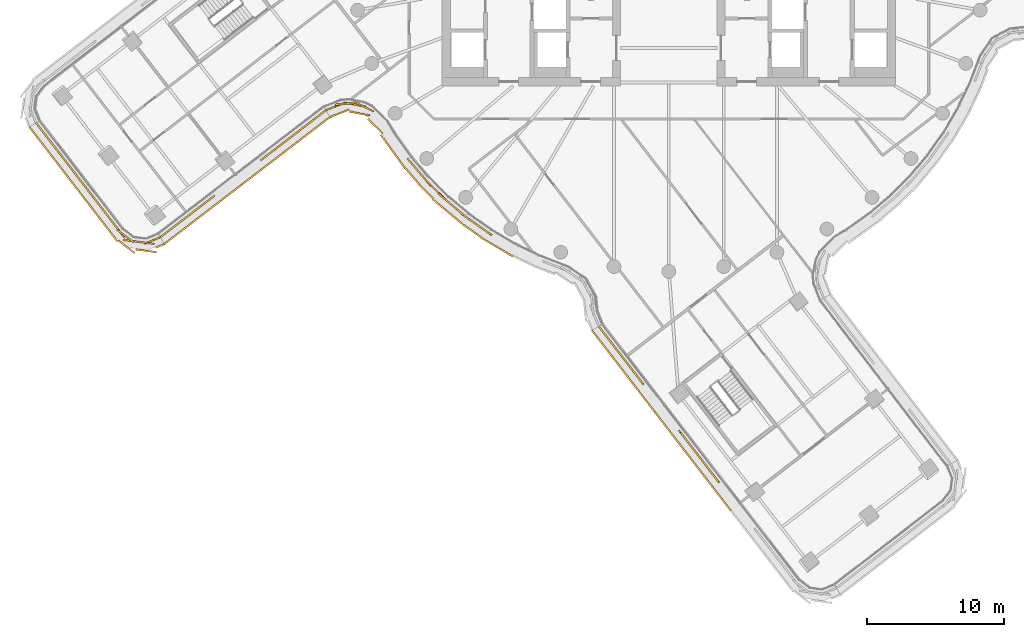
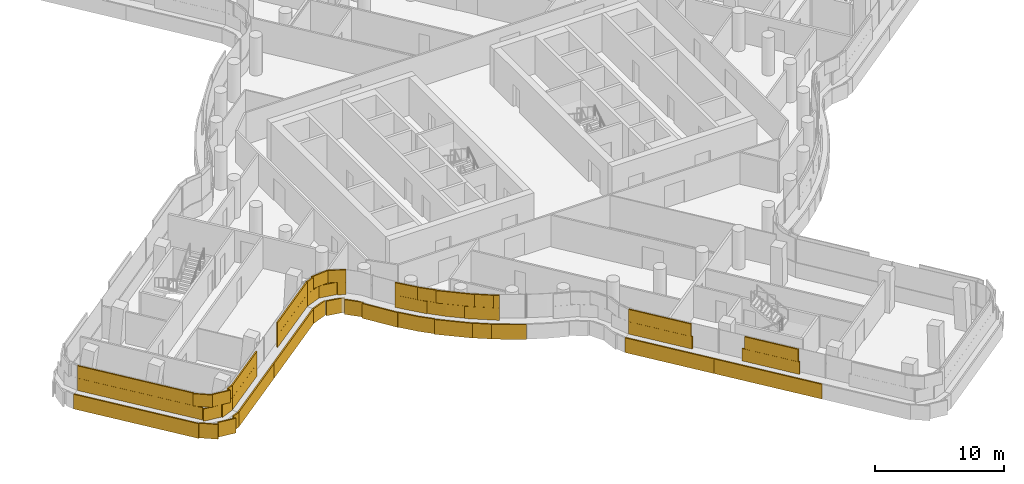
# One storey, part 26 of 33: 6 coverings.
"""IFC4 building model written with IfcOpenShell, lengths in metres."""

from ifc_helpers import new_model, si_unit, direction, frame, origin, origin_2d, place, context, subcontext, project, spatial, rectangle, extrude, material, layer, layer_set, type_object, element, save


model = new_model("IFC4")

# Units and contexts
model_context = context("Model", 3, precision=1e-05, world=origin(), true_north=direction((0.0, 1.0)))
body_context = subcontext(model_context, "Body", "Model", "MODEL_VIEW")
ifc_project = project(units=[si_unit("LENGTHUNIT", "METRE"), si_unit("AREAUNIT", "SQUARE_METRE"), si_unit("VOLUMEUNIT", "CUBIC_METRE"), si_unit("PLANEANGLEUNIT", "RADIAN"), si_unit("MASSUNIT", "GRAM", prefix="KILO")], contexts=[model_context])

# Site, building, storey
site_placement = place(None, origin())
site = spatial("IfcSite", under=ifc_project, at=site_placement, CompositionType="ELEMENT")
building_placement = place(site_placement, origin())
building = spatial("IfcBuilding", under=site, at=building_placement, Name="Tamarind Cross Interchange Tower", CompositionType="ELEMENT")
storey_placement = place(building_placement, frame((0.0, 0.0, 170.5)))
storey = spatial("IfcBuildingStorey", under=building, at=storey_placement, Name="L42", CompositionType="ELEMENT", Elevation=170.5)

# Coverings
ifc_material = material(Name="Terracotta", Category="masonry")
ifc_layer = layer(ifc_material, 0.1201171875)
ifc_layer_set = layer_set([ifc_layer], Name="Terracotta")
covering_type = type_object("IfcCoveringType", Name="Terracotta baguette screen unit", PredefinedType="MOLDING", material=ifc_layer_set)
covering_1_placement = place(storey_placement, origin())
element("IfcCovering", 1, at=covering_1_placement, inside=storey, type_object=covering_type, Name="SCR-L42-08-00", PredefinedType="MOLDING", context=body_context, shape_type="SweptSolid", body=[
    extrude(rectangle(XDim=1.510009765625, YDim=0.1201171875, at=origin_2d()), frame((-45.58251953125, -12.789306640625, 1.404052734375), z_axis=(0.0, 0.0, 1.0), x_axis=(0.610322147879, -0.792153315847, 0.0)), (0.0, 0.0, 1.0), 1.1669921875),
    extrude(rectangle(XDim=1.52001953125, YDim=0.1201171875, at=origin_2d()), frame((-44.6669921875, -13.9775390625, 1.404052734375), z_axis=(0.0, 0.0, 1.0), x_axis=(0.610322147879, -0.792153315847, 0.0)), (0.0, 0.0, 1.0), 1.1669921875),
    extrude(rectangle(XDim=1.52001953125, YDim=0.1201171875, at=origin_2d()), frame((-43.751708984375, -15.165771484375, 1.404052734375), z_axis=(0.0, 0.0, 1.0), x_axis=(0.610322147879, -0.792153315847, 0.0)), (0.0, 0.0, 1.0), 1.1669921875),
    extrude(rectangle(XDim=1.52001953125, YDim=0.1201171875, at=origin_2d()), frame((-42.836181640625, -16.35400390625, 1.404052734375), z_axis=(0.0, 0.0, 1.0), x_axis=(0.610322147879, -0.792153315847, 0.0)), (0.0, 0.0, 1.0), 1.1669921875),
    extrude(rectangle(XDim=1.52001953125, YDim=0.1201171875, at=origin_2d()), frame((-41.920654296875, -17.542236328125, 1.404052734375), z_axis=(0.0, 0.0, 1.0), x_axis=(0.610322147879, -0.792153315847, 0.0)), (0.0, 0.0, 1.0), 1.1669921875),
    extrude(rectangle(XDim=1.52001953125, YDim=0.1201171875, at=origin_2d()), frame((-41.005126953125, -18.73046875, 1.404052734375), z_axis=(0.0, 0.0, 1.0), x_axis=(0.610322147879, -0.792153315847, 0.0)), (0.0, 0.0, 1.0), 1.1669921875),
    extrude(rectangle(XDim=1.52001953125, YDim=0.1201171875, at=origin_2d()), frame((-40.089599609375, -19.918701171875, 1.404052734375), z_axis=(0.0, 0.0, 1.0), x_axis=(0.610322147879, -0.792153315847, 0.0)), (0.0, 0.0, 1.0), 1.1669921875),
    extrude(rectangle(XDim=1.52001953125, YDim=0.1201171875, at=origin_2d()), frame((-38.917724609375, -20.805908203125, 1.404052734375), z_axis=(0.0, 0.0, 1.0), x_axis=(0.991699910849, -0.128574051901, 0.0)), (0.0, 0.0, 1.0), 1.1669921875),
    extrude(rectangle(XDim=1.259521484375, YDim=0.1201171875, at=origin_2d()), frame((-37.5849609375, -20.753662109375, 1.404052734375), z_axis=(0.0, 0.0, 1.0), x_axis=(0.923124341677, 0.38450156021, 0.0)), (0.0, 0.0, 1.0), 1.1669921875),
    extrude(rectangle(XDim=0.760009765625, YDim=0.1201171875, at=origin_2d()), frame((-45.8115234375, -12.4921875, 2.5791015625), z_axis=(0.0, 0.0, 1.0), x_axis=(0.610322147879, -0.792153315847, 0.0)), (0.0, 0.0, 1.0), 1.1669921875),
    extrude(rectangle(XDim=1.52001953125, YDim=0.1201171875, at=origin_2d()), frame((-45.124755859375, -13.383544921875, 2.5791015625), z_axis=(0.0, 0.0, 1.0), x_axis=(0.610322147879, -0.792153315847, 0.0)), (0.0, 0.0, 1.0), 1.1669921875),
    extrude(rectangle(XDim=1.52001953125, YDim=0.1201171875, at=origin_2d()), frame((-44.20947265625, -14.57177734375, 2.5791015625), z_axis=(0.0, 0.0, 1.0), x_axis=(0.610322147879, -0.792153315847, 0.0)), (0.0, 0.0, 1.0), 1.1669921875),
    extrude(rectangle(XDim=1.52001953125, YDim=0.1201171875, at=origin_2d()), frame((-43.2939453125, -15.760009765625, 2.5791015625), z_axis=(0.0, 0.0, 1.0), x_axis=(0.610322147879, -0.792153315847, 0.0)), (0.0, 0.0, 1.0), 1.1669921875),
    extrude(rectangle(XDim=1.52001953125, YDim=0.1201171875, at=origin_2d()), frame((-42.37841796875, -16.9482421875, 2.5791015625), z_axis=(0.0, 0.0, 1.0), x_axis=(0.610322147879, -0.792153315847, 0.0)), (0.0, 0.0, 1.0), 1.1669921875),
    extrude(rectangle(XDim=1.52001953125, YDim=0.1201171875, at=origin_2d()), frame((-41.462890625, -18.136474609375, 2.5791015625), z_axis=(0.0, 0.0, 1.0), x_axis=(0.610322147879, -0.792153315847, 0.0)), (0.0, 0.0, 1.0), 1.1669921875),
    extrude(rectangle(XDim=1.52001953125, YDim=0.1201171875, at=origin_2d()), frame((-40.54736328125, -19.32470703125, 2.5791015625), z_axis=(0.0, 0.0, 1.0), x_axis=(0.610322147879, -0.792153315847, 0.0)), (0.0, 0.0, 1.0), 1.1669921875),
    extrude(rectangle(XDim=1.52001953125, YDim=0.1201171875, at=origin_2d()), frame((-39.544189453125, -20.4248046875, 2.5791015625), z_axis=(0.0, 0.0, 1.0), x_axis=(0.794550289775, -0.607198350638, 0.0)), (0.0, 0.0, 1.0), 1.1669921875),
    extrude(rectangle(XDim=1.52001953125, YDim=0.1201171875, at=origin_2d()), frame((-38.173828125, -20.90234375, 2.5791015625), z_axis=(0.0, 0.0, 1.0), x_axis=(0.991699910849, -0.128574051901, 0.0)), (0.0, 0.0, 1.0), 1.1669921875),
    extrude(rectangle(XDim=0.509521484375, YDim=0.1201171875, at=origin_2d()), frame((-37.23876953125, -20.609619140625, 2.5791015625), z_axis=(0.0, 0.0, 1.0), x_axis=(0.923124341677, 0.38450156021, 0.0)), (0.0, 0.0, 1.0), 1.1669921875),
    extrude(rectangle(XDim=1.510009765625, YDim=0.1201171875, at=origin_2d()), frame((-46.080322265625, -13.083740234375, 0.00390625), z_axis=(0.0, 0.0, 1.0), x_axis=(0.610322147879, -0.792153315847, 0.0)), (0.0, 0.0, 1.0), 1.39208984375),
    extrude(rectangle(XDim=1.52001953125, YDim=0.1201171875, at=origin_2d()), frame((-45.16796875, -14.26806640625, 0.00390625), z_axis=(0.0, 0.0, 1.0), x_axis=(0.610322147879, -0.792153315847, 0.0)), (0.0, 0.0, 1.0), 1.39208984375),
    extrude(rectangle(XDim=1.52001953125, YDim=0.1201171875, at=origin_2d()), frame((-44.25244140625, -15.456298828125, 0.00390625), z_axis=(0.0, 0.0, 1.0), x_axis=(0.610322147879, -0.792153315847, 0.0)), (0.0, 0.0, 1.0), 1.39208984375),
    extrude(rectangle(XDim=1.52001953125, YDim=0.1201171875, at=origin_2d()), frame((-43.3369140625, -16.64453125, 0.00390625), z_axis=(0.0, 0.0, 1.0), x_axis=(0.610322147879, -0.792153315847, 0.0)), (0.0, 0.0, 1.0), 1.39208984375),
    extrude(rectangle(XDim=1.52001953125, YDim=0.1201171875, at=origin_2d()), frame((-42.42138671875, -17.832763671875, 0.00390625), z_axis=(0.0, 0.0, 1.0), x_axis=(0.610322147879, -0.792153315847, 0.0)), (0.0, 0.0, 1.0), 1.39208984375),
    extrude(rectangle(XDim=1.52001953125, YDim=0.1201171875, at=origin_2d()), frame((-41.506103515625, -19.02099609375, 0.00390625), z_axis=(0.0, 0.0, 1.0), x_axis=(0.610322147879, -0.792153315847, 0.0)), (0.0, 0.0, 1.0), 1.39208984375),
    extrude(rectangle(XDim=1.52001953125, YDim=0.1201171875, at=origin_2d()), frame((-40.590576171875, -20.209228515625, 0.00390625), z_axis=(0.0, 0.0, 1.0), x_axis=(0.610322147879, -0.792153315847, 0.0)), (0.0, 0.0, 1.0), 1.39208984375),
    extrude(rectangle(XDim=1.52001953125, YDim=0.1201171875, at=origin_2d()), frame((-39.47705078125, -21.198486328125, 0.00390625), z_axis=(0.0, 0.0, 1.0), x_axis=(0.794550289775, -0.607198350638, 0.0)), (0.0, 0.0, 1.0), 1.39208984375),
    extrude(rectangle(XDim=1.52001953125, YDim=0.1201171875, at=origin_2d()), frame((-38.033935546875, -21.499267578125, 0.00390625), z_axis=(0.0, 0.0, 1.0), x_axis=(0.991699910849, -0.128574051901, 0.0)), (0.0, 0.0, 1.0), 1.39208984375),
    extrude(rectangle(XDim=0.67626953125, YDim=0.1201171875, at=origin_2d()), frame((-37.030517578125, -21.14453125, 0.00390625), z_axis=(0.0, 0.0, 1.0), x_axis=(0.923124341677, 0.38450156021, 0.0)), (0.0, 0.0, 1.0), 1.39208984375),
])
covering_2_placement = place(storey_placement, origin())
element("IfcCovering", 2, at=covering_2_placement, inside=storey, type_object=covering_type, Name="SCR-L42-09-00", PredefinedType="MOLDING", context=body_context, shape_type="SweptSolid", body=[
    extrude(rectangle(XDim=1.510009765625, YDim=0.1201171875, at=origin_2d()), frame((-36.412841796875, -20.057373046875, 1.404052734375), z_axis=(0.0, 0.0, 1.0), x_axis=(0.793725115769, 0.608276615198, 0.0)), (0.0, 0.0, 1.0), 1.1669921875),
    extrude(rectangle(XDim=1.52001953125, YDim=0.1201171875, at=origin_2d()), frame((-35.222412109375, -19.144775390625, 1.404052734375), z_axis=(0.0, 0.0, 1.0), x_axis=(0.793725115769, 0.608276615198, 0.0)), (0.0, 0.0, 1.0), 1.1669921875),
    extrude(rectangle(XDim=1.52001953125, YDim=0.1201171875, at=origin_2d()), frame((-34.03173828125, -18.232421875, 1.404052734375), z_axis=(0.0, 0.0, 1.0), x_axis=(0.793725115769, 0.608276615198, 0.0)), (0.0, 0.0, 1.0), 1.1669921875),
    extrude(rectangle(XDim=0.50634765625, YDim=0.1201171875, at=origin_2d()), frame((-33.239501953125, -17.625244140625, 1.404052734375), z_axis=(0.0, 0.0, 1.0), x_axis=(0.793725115769, 0.608276615198, 0.0)), (0.0, 0.0, 1.0), 1.1669921875),
    extrude(rectangle(XDim=0.760009765625, YDim=0.1201171875, at=origin_2d()), frame((-36.71044921875, -20.285400390625, 2.5791015625), z_axis=(0.0, 0.0, 1.0), x_axis=(0.793725115769, 0.608276615198, 0.0)), (0.0, 0.0, 1.0), 1.1669921875),
    extrude(rectangle(XDim=1.52001953125, YDim=0.1201171875, at=origin_2d()), frame((-35.817626953125, -19.60107421875, 2.5791015625), z_axis=(0.0, 0.0, 1.0), x_axis=(0.793725115769, 0.608276615198, 0.0)), (0.0, 0.0, 1.0), 1.1669921875),
    extrude(rectangle(XDim=1.52001953125, YDim=0.1201171875, at=origin_2d()), frame((-34.626953125, -18.688720703125, 2.5791015625), z_axis=(0.0, 0.0, 1.0), x_axis=(0.793725115769, 0.608276615198, 0.0)), (0.0, 0.0, 1.0), 1.1669921875),
    extrude(rectangle(XDim=1.25634765625, YDim=0.1201171875, at=origin_2d()), frame((-33.537109375, -17.853271484375, 2.5791015625), z_axis=(0.0, 0.0, 1.0), x_axis=(0.793725115769, 0.608276615198, 0.0)), (0.0, 0.0, 1.0), 1.1669921875),
    extrude(rectangle(XDim=1.510009765625, YDim=0.1201171875, at=origin_2d()), frame((-36.119140625, -20.555419921875, 0.00390625), z_axis=(0.0, 0.0, 1.0), x_axis=(0.793725115769, 0.608276615198, 0.0)), (0.0, 0.0, 1.0), 1.39208984375),
    extrude(rectangle(XDim=1.52001953125, YDim=0.1201171875, at=origin_2d()), frame((-34.9326171875, -19.64599609375, 0.00390625), z_axis=(0.0, 0.0, 1.0), x_axis=(0.793725115769, 0.608276615198, 0.0)), (0.0, 0.0, 1.0), 1.39208984375),
    extrude(rectangle(XDim=1.52001953125, YDim=0.1201171875, at=origin_2d()), frame((-33.741943359375, -18.733642578125, 0.00390625), z_axis=(0.0, 0.0, 1.0), x_axis=(0.793725115769, 0.608276615198, 0.0)), (0.0, 0.0, 1.0), 1.39208984375),
    extrude(rectangle(XDim=1.52001953125, YDim=0.1201171875, at=origin_2d()), frame((-32.55126953125, -17.821044921875, 0.00390625), z_axis=(0.0, 0.0, 1.0), x_axis=(0.793725115769, 0.608276615198, 0.0)), (0.0, 0.0, 1.0), 1.39208984375),
    extrude(rectangle(XDim=1.103515625, YDim=0.1201171875, at=origin_2d()), frame((-31.526123046875, -17.035400390625, 0.00390625), z_axis=(0.0, 0.0, 1.0), x_axis=(0.793725115769, 0.608276615198, 0.0)), (0.0, 0.0, 1.0), 1.39208984375),
])
covering_3_placement = place(storey_placement, origin())
element("IfcCovering", 3, at=covering_3_placement, inside=storey, type_object=covering_type, Name="SCR-L42-09-01", PredefinedType="MOLDING", context=body_context, shape_type="SweptSolid", body=[
    extrude(rectangle(XDim=1.313720703125, YDim=0.1201171875, at=origin_2d()), frame((-29.19140625, -14.523193359375, 1.404052734375), z_axis=(0.0, 0.0, 1.0), x_axis=(0.793725115769, 0.608276615198, 0.0)), (0.0, 0.0, 1.0), 1.1669921875),
    extrude(rectangle(XDim=1.52001953125, YDim=0.1201171875, at=origin_2d()), frame((-28.078857421875, -13.67041015625, 1.404052734375), z_axis=(0.0, 0.0, 1.0), x_axis=(0.793725115769, 0.608276615198, 0.0)), (0.0, 0.0, 1.0), 1.1669921875),
    extrude(rectangle(XDim=1.52001953125, YDim=0.1201171875, at=origin_2d()), frame((-26.88818359375, -12.758056640625, 1.404052734375), z_axis=(0.0, 0.0, 1.0), x_axis=(0.793725115769, 0.608276615198, 0.0)), (0.0, 0.0, 1.0), 1.1669921875),
    extrude(rectangle(XDim=1.52001953125, YDim=0.1201171875, at=origin_2d()), frame((-25.697509765625, -11.845458984375, 1.404052734375), z_axis=(0.0, 0.0, 1.0), x_axis=(0.793725115769, 0.608276615198, 0.0)), (0.0, 0.0, 1.0), 1.1669921875),
    extrude(rectangle(XDim=0.206787109375, YDim=0.1201171875, at=origin_2d()), frame((-25.024169921875, -11.329345703125, 1.404052734375), z_axis=(0.0, 0.0, 1.0), x_axis=(0.793725115769, 0.608276615198, 0.0)), (0.0, 0.0, 1.0), 1.1669921875),
    extrude(rectangle(XDim=0.563720703125, YDim=0.1201171875, at=origin_2d()), frame((-29.4892578125, -14.751220703125, 2.5791015625), z_axis=(0.0, 0.0, 1.0), x_axis=(0.793725115769, 0.608276615198, 0.0)), (0.0, 0.0, 1.0), 1.1669921875),
    extrude(rectangle(XDim=1.52001953125, YDim=0.1201171875, at=origin_2d()), frame((-28.674072265625, -14.12646484375, 2.5791015625), z_axis=(0.0, 0.0, 1.0), x_axis=(0.793725115769, 0.608276615198, 0.0)), (0.0, 0.0, 1.0), 1.1669921875),
    extrude(rectangle(XDim=1.52001953125, YDim=0.1201171875, at=origin_2d()), frame((-27.4833984375, -13.214111328125, 2.5791015625), z_axis=(0.0, 0.0, 1.0), x_axis=(0.793725115769, 0.608276615198, 0.0)), (0.0, 0.0, 1.0), 1.1669921875),
    extrude(rectangle(XDim=1.52001953125, YDim=0.1201171875, at=origin_2d()), frame((-26.29296875, -12.3017578125, 2.5791015625), z_axis=(0.0, 0.0, 1.0), x_axis=(0.793725115769, 0.608276615198, 0.0)), (0.0, 0.0, 1.0), 1.1669921875),
    extrude(rectangle(XDim=0.956787109375, YDim=0.1201171875, at=origin_2d()), frame((-25.32177734375, -11.5576171875, 2.5791015625), z_axis=(0.0, 0.0, 1.0), x_axis=(0.793725115769, 0.608276615198, 0.0)), (0.0, 0.0, 1.0), 1.1669921875),
    extrude(rectangle(XDim=0.41650390625, YDim=0.1201171875, at=origin_2d()), frame((-30.9228515625, -16.572998046875, 0.00390625), z_axis=(0.0, 0.0, 1.0), x_axis=(0.793725115769, 0.608276615198, 0.0)), (0.0, 0.0, 1.0), 1.39208984375),
    extrude(rectangle(XDim=1.52001953125, YDim=0.1201171875, at=origin_2d()), frame((-30.170166015625, -15.996337890625, 0.00390625), z_axis=(0.0, 0.0, 1.0), x_axis=(0.793725115769, 0.608276615198, 0.0)), (0.0, 0.0, 1.0), 1.39208984375),
    extrude(rectangle(XDim=1.52001953125, YDim=0.1201171875, at=origin_2d()), frame((-28.979736328125, -15.083984375, 0.00390625), z_axis=(0.0, 0.0, 1.0), x_axis=(0.793725115769, 0.608276615198, 0.0)), (0.0, 0.0, 1.0), 1.39208984375),
    extrude(rectangle(XDim=1.52001953125, YDim=0.1201171875, at=origin_2d()), frame((-27.7890625, -14.17138671875, 0.00390625), z_axis=(0.0, 0.0, 1.0), x_axis=(0.793725115769, 0.608276615198, 0.0)), (0.0, 0.0, 1.0), 1.39208984375),
    extrude(rectangle(XDim=1.52001953125, YDim=0.1201171875, at=origin_2d()), frame((-26.598388671875, -13.259033203125, 0.00390625), z_axis=(0.0, 0.0, 1.0), x_axis=(0.793725115769, 0.608276615198, 0.0)), (0.0, 0.0, 1.0), 1.39208984375),
    extrude(rectangle(XDim=1.52001953125, YDim=0.1201171875, at=origin_2d()), frame((-25.407958984375, -12.3466796875, 0.00390625), z_axis=(0.0, 0.0, 1.0), x_axis=(0.793725115769, 0.608276615198, 0.0)), (0.0, 0.0, 1.0), 1.39208984375),
    extrude(rectangle(XDim=0.200927734375, YDim=0.1201171875, at=origin_2d()), frame((-24.74072265625, -11.83544921875, 0.00390625), z_axis=(0.0, 0.0, 1.0), x_axis=(0.793725115769, 0.608276615198, 0.0)), (0.0, 0.0, 1.0), 1.39208984375),
])
covering_4_placement = place(storey_placement, origin())
element("IfcCovering", 4, at=covering_4_placement, inside=storey, type_object=covering_type, Name="SCR-L42-10-00", PredefinedType="MOLDING", context=body_context, shape_type="SweptSolid", body=[
    extrude(rectangle(XDim=1.510009765625, YDim=0.1201171875, at=origin_2d()), frame((-24.248291015625, -10.9951171875, 1.404052734375), z_axis=(0.0, 0.0, 1.0), x_axis=(0.930573696468, 0.366104623629, 0.0)), (0.0, 0.0, 1.0), 1.1669921875),
    extrude(rectangle(XDim=1.52001953125, YDim=0.1201171875, at=origin_2d()), frame((-22.7919921875, -10.87158203125, 1.404052734375), z_axis=(0.0, 0.0, 1.0), x_axis=(0.982290968487, -0.187361824363, 0.0)), (0.0, 0.0, 1.0), 1.1669921875),
    extrude(rectangle(XDim=0.6689453125, YDim=0.1201171875, at=origin_2d()), frame((-21.778564453125, -11.21142578125, 1.404052734375), z_axis=(0.0, 0.0, 1.0), x_axis=(0.891512414684, -0.45299626319, 0.0)), (0.0, 0.0, 1.0), 1.1669921875),
    extrude(rectangle(XDim=1.151123046875, YDim=0.1201171875, at=origin_2d()), frame((-18.654541015625, -15.213623046875, 1.404052734375), z_axis=(0.0, 0.0, 1.0), x_axis=(0.64957723968, -0.760295606781, 0.0)), (0.0, 0.0, 1.0), 1.1669921875),
    extrude(rectangle(XDim=1.52001953125, YDim=0.1201171875, at=origin_2d()), frame((-17.796875, -16.2177734375, 1.404052734375), z_axis=(0.0, 0.0, 1.0), x_axis=(0.64957723968, -0.760295606781, 0.0)), (0.0, 0.0, 1.0), 1.1669921875),
    extrude(rectangle(XDim=1.52001953125, YDim=0.1201171875, at=origin_2d()), frame((-16.7451171875, -17.286376953125, 1.404052734375), z_axis=(0.0, 0.0, 1.0), x_axis=(0.710143317658, -0.704057148523, 0.0)), (0.0, 0.0, 1.0), 1.1669921875),
    extrude(rectangle(XDim=1.52001953125, YDim=0.1201171875, at=origin_2d()), frame((-15.636474609375, -18.294677734375, 1.404052734375), z_axis=(0.0, 0.0, 1.0), x_axis=(0.765858396687, -0.643009266048, 0.0)), (0.0, 0.0, 1.0), 1.1669921875),
    extrude(rectangle(XDim=1.52001953125, YDim=0.1201171875, at=origin_2d()), frame((-14.47265625, -19.239990234375, 1.404052734375), z_axis=(0.0, 0.0, 1.0), x_axis=(0.816341886298, -0.577568978284, 0.0)), (0.0, 0.0, 1.0), 1.1669921875),
    extrude(rectangle(XDim=1.198486328125, YDim=0.1201171875, at=origin_2d()), frame((-13.37548828125, -20.016357421875, 1.404052734375), z_axis=(0.0, 0.0, 1.0), x_axis=(0.816341886298, -0.577568978284, 0.0)), (0.0, 0.0, 1.0), 1.1669921875),
    extrude(rectangle(XDim=0.760009765625, YDim=0.1201171875, at=origin_2d()), frame((-24.59716796875, -11.13232421875, 2.5791015625), z_axis=(0.0, 0.0, 1.0), x_axis=(0.930573696468, 0.366104623629, 0.0)), (0.0, 0.0, 1.0), 1.1669921875),
    extrude(rectangle(XDim=1.52001953125, YDim=0.1201171875, at=origin_2d()), frame((-23.531982421875, -10.797607421875, 2.5791015625), z_axis=(0.0, 0.0, 1.0), x_axis=(0.99566263557, 0.093037176066, 0.0)), (0.0, 0.0, 1.0), 1.1669921875),
    extrude(rectangle(XDim=1.4189453125, YDim=0.1201171875, at=origin_2d()), frame((-22.113037109375, -11.04150390625, 2.5791015625), z_axis=(0.0, 0.0, 1.0), x_axis=(0.891512414684, -0.45299626319, 0.0)), (0.0, 0.0, 1.0), 1.1669921875),
    extrude(rectangle(XDim=0.401123046875, YDim=0.1201171875, at=origin_2d()), frame((-18.898193359375, -14.928466796875, 2.5791015625), z_axis=(0.0, 0.0, 1.0), x_axis=(0.64957723968, -0.760295606781, 0.0)), (0.0, 0.0, 1.0), 1.1669921875),
    extrude(rectangle(XDim=1.52001953125, YDim=0.1201171875, at=origin_2d()), frame((-18.283935546875, -15.6474609375, 2.5791015625), z_axis=(0.0, 0.0, 1.0), x_axis=(0.64957723968, -0.760295606781, 0.0)), (0.0, 0.0, 1.0), 1.1669921875),
    extrude(rectangle(XDim=1.52001953125, YDim=0.1201171875, at=origin_2d()), frame((-17.27783203125, -16.75830078125, 2.5791015625), z_axis=(0.0, 0.0, 1.0), x_axis=(0.710143317658, -0.704057148523, 0.0)), (0.0, 0.0, 1.0), 1.1669921875),
    extrude(rectangle(XDim=1.52001953125, YDim=0.1201171875, at=origin_2d()), frame((-16.210693359375, -17.8125, 2.5791015625), z_axis=(0.0, 0.0, 1.0), x_axis=(0.765858396687, -0.643009266048, 0.0)), (0.0, 0.0, 1.0), 1.1669921875),
    extrude(rectangle(XDim=1.52001953125, YDim=0.1201171875, at=origin_2d()), frame((-15.06201171875, -18.77685546875, 2.5791015625), z_axis=(0.0, 0.0, 1.0), x_axis=(0.765858396687, -0.643009266048, 0.0)), (0.0, 0.0, 1.0), 1.1669921875),
    extrude(rectangle(XDim=1.52001953125, YDim=0.1201171875, at=origin_2d()), frame((-13.860595703125, -19.673095703125, 2.5791015625), z_axis=(0.0, 0.0, 1.0), x_axis=(0.816341886298, -0.577568978284, 0.0)), (0.0, 0.0, 1.0), 1.1669921875),
    extrude(rectangle(XDim=0.448486328125, YDim=0.1201171875, at=origin_2d()), frame((-13.068359375, -20.2314453125, 2.5791015625), z_axis=(0.0, 0.0, 1.0), x_axis=(0.861248933065, -0.508183308752, 0.0)), (0.0, 0.0, 1.0), 1.1669921875),
    extrude(rectangle(XDim=1.510009765625, YDim=0.1201171875, at=origin_2d()), frame((-23.95849609375, -11.497802734375, 0.00390625), z_axis=(0.0, 0.0, 1.0), x_axis=(0.930573696468, 0.366104623629, 0.0)), (0.0, 0.0, 1.0), 1.39208984375),
    extrude(rectangle(XDim=1.52001953125, YDim=0.1201171875, at=origin_2d()), frame((-22.500732421875, -11.511474609375, 0.00390625), z_axis=(0.0, 0.0, 1.0), x_axis=(0.982290968487, -0.187361824363, 0.0)), (0.0, 0.0, 1.0), 1.39208984375),
    extrude(rectangle(XDim=1.52001953125, YDim=0.1201171875, at=origin_2d()), frame((-21.349365234375, -12.439208984375, 0.00390625), z_axis=(0.0, 0.0, 1.0), x_axis=(0.712624026466, -0.70154614738, 0.0)), (0.0, 0.0, 1.0), 1.39208984375),
    extrude(rectangle(XDim=1.52001953125, YDim=0.1201171875, at=origin_2d()), frame((-20.51416015625, -13.67724609375, 0.00390625), z_axis=(0.0, 0.0, 1.0), x_axis=(0.584573890505, -0.811340475102, 0.0)), (0.0, 0.0, 1.0), 1.39208984375),
    extrude(rectangle(XDim=1.52001953125, YDim=0.1201171875, at=origin_2d()), frame((-19.637451171875, -14.894287109375, 0.00390625), z_axis=(0.0, 0.0, 1.0), x_axis=(0.584573890505, -0.811340475102, 0.0)), (0.0, 0.0, 1.0), 1.39208984375),
    extrude(rectangle(XDim=1.52001953125, YDim=0.1201171875, at=origin_2d()), frame((-18.68994140625, -16.055908203125, 0.00390625), z_axis=(0.0, 0.0, 1.0), x_axis=(0.64957723968, -0.760295606781, 0.0)), (0.0, 0.0, 1.0), 1.39208984375),
    extrude(rectangle(XDim=1.52001953125, YDim=0.1201171875, at=origin_2d()), frame((-17.682373046875, -17.16552734375, 0.00390625), z_axis=(0.0, 0.0, 1.0), x_axis=(0.710143317658, -0.704057148523, 0.0)), (0.0, 0.0, 1.0), 1.39208984375),
    extrude(rectangle(XDim=1.52001953125, YDim=0.1201171875, at=origin_2d()), frame((-16.61669921875, -18.22119140625, 0.00390625), z_axis=(0.0, 0.0, 1.0), x_axis=(0.765858396687, -0.643009266048, 0.0)), (0.0, 0.0, 1.0), 1.39208984375),
    extrude(rectangle(XDim=1.52001953125, YDim=0.1201171875, at=origin_2d()), frame((-15.4677734375, -19.185546875, 0.00390625), z_axis=(0.0, 0.0, 1.0), x_axis=(0.765858396687, -0.643009266048, 0.0)), (0.0, 0.0, 1.0), 1.39208984375),
    extrude(rectangle(XDim=1.52001953125, YDim=0.1201171875, at=origin_2d()), frame((-14.27001953125, -20.086669921875, 0.00390625), z_axis=(0.0, 0.0, 1.0), x_axis=(0.816341886298, -0.577568978284, 0.0)), (0.0, 0.0, 1.0), 1.39208984375),
    extrude(rectangle(XDim=1.52001953125, YDim=0.1201171875, at=origin_2d()), frame((-13.026123046875, -20.9228515625, 0.00390625), z_axis=(0.0, 0.0, 1.0), x_axis=(0.861248933065, -0.508183308752, 0.0)), (0.0, 0.0, 1.0), 1.39208984375),
    extrude(rectangle(XDim=1.223388671875, YDim=0.1201171875, at=origin_2d()), frame((-11.86181640625, -21.60986328125, 0.00390625), z_axis=(0.0, 0.0, 1.0), x_axis=(0.861248933065, -0.508183308752, 0.0)), (0.0, 0.0, 1.0), 1.39208984375),
])
covering_5_placement = place(storey_placement, origin())
element("IfcCovering", 5, at=covering_5_placement, inside=storey, type_object=covering_type, Name="SCR-L42-11-00", PredefinedType="MOLDING", context=body_context, shape_type="SweptSolid", body=[
    extrude(rectangle(XDim=1.510009765625, YDim=0.1201171875, at=origin_2d()), frame((-4.637939453125, -27.59716796875, 1.404052734375), z_axis=(0.0, 0.0, 1.0), x_axis=(0.610322147879, -0.792153315847, 0.0)), (0.0, 0.0, 1.0), 1.1669921875),
    extrude(rectangle(XDim=1.52001953125, YDim=0.1201171875, at=origin_2d()), frame((-3.722412109375, -28.785400390625, 1.404052734375), z_axis=(0.0, 0.0, 1.0), x_axis=(0.610322147879, -0.792153315847, 0.0)), (0.0, 0.0, 1.0), 1.1669921875),
    extrude(rectangle(XDim=1.52001953125, YDim=0.1201171875, at=origin_2d()), frame((-2.806884765625, -29.9736328125, 1.404052734375), z_axis=(0.0, 0.0, 1.0), x_axis=(0.610322147879, -0.792153315847, 0.0)), (0.0, 0.0, 1.0), 1.1669921875),
    extrude(rectangle(XDim=0.85205078125, YDim=0.1201171875, at=origin_2d()), frame((-2.09228515625, -30.901123046875, 1.404052734375), z_axis=(0.0, 0.0, 1.0), x_axis=(0.610322147879, -0.792153315847, 0.0)), (0.0, 0.0, 1.0), 1.1669921875),
    extrude(rectangle(XDim=0.760009765625, YDim=0.1201171875, at=origin_2d()), frame((-4.866943359375, -27.300048828125, 2.5791015625), z_axis=(0.0, 0.0, 1.0), x_axis=(0.610322147879, -0.792153315847, 0.0)), (0.0, 0.0, 1.0), 1.1669921875),
    extrude(rectangle(XDim=1.52001953125, YDim=0.1201171875, at=origin_2d()), frame((-4.18017578125, -28.191162109375, 2.5791015625), z_axis=(0.0, 0.0, 1.0), x_axis=(0.610322147879, -0.792153315847, 0.0)), (0.0, 0.0, 1.0), 1.1669921875),
    extrude(rectangle(XDim=1.52001953125, YDim=0.1201171875, at=origin_2d()), frame((-3.2646484375, -29.37939453125, 2.5791015625), z_axis=(0.0, 0.0, 1.0), x_axis=(0.610322147879, -0.792153315847, 0.0)), (0.0, 0.0, 1.0), 1.1669921875),
    extrude(rectangle(XDim=1.52001953125, YDim=0.1201171875, at=origin_2d()), frame((-2.349365234375, -30.567626953125, 2.5791015625), z_axis=(0.0, 0.0, 1.0), x_axis=(0.610322147879, -0.792153315847, 0.0)), (0.0, 0.0, 1.0), 1.1669921875),
    extrude(rectangle(XDim=1.510009765625, YDim=0.1201171875, at=origin_2d()), frame((-5.13818359375, -27.888427734375, 0.00390625), z_axis=(0.0, 0.0, 1.0), x_axis=(0.610322147879, -0.792153315847, 0.0)), (0.0, 0.0, 1.0), 1.39208984375),
    extrude(rectangle(XDim=1.52001953125, YDim=0.1201171875, at=origin_2d()), frame((-4.2255859375, -29.07275390625, 0.00390625), z_axis=(0.0, 0.0, 1.0), x_axis=(0.610322147879, -0.792153315847, 0.0)), (0.0, 0.0, 1.0), 1.39208984375),
    extrude(rectangle(XDim=1.52001953125, YDim=0.1201171875, at=origin_2d()), frame((-3.310302734375, -30.260986328125, 0.00390625), z_axis=(0.0, 0.0, 1.0), x_axis=(0.610322147879, -0.792153315847, 0.0)), (0.0, 0.0, 1.0), 1.39208984375),
    extrude(rectangle(XDim=1.52001953125, YDim=0.1201171875, at=origin_2d()), frame((-2.394775390625, -31.44921875, 0.00390625), z_axis=(0.0, 0.0, 1.0), x_axis=(0.610322147879, -0.792153315847, 0.0)), (0.0, 0.0, 1.0), 1.39208984375),
    extrude(rectangle(XDim=1.5009765625, YDim=0.1201171875, at=origin_2d()), frame((-1.485107421875, -32.6298828125, 0.00390625), z_axis=(0.0, 0.0, 1.0), x_axis=(0.610322147879, -0.792153315847, 0.0)), (0.0, 0.0, 1.0), 1.39208984375),
])
covering_6_placement = place(storey_placement, origin())
element("IfcCovering", 6, at=covering_6_placement, inside=storey, type_object=covering_type, Name="SCR-L42-11-01", PredefinedType="MOLDING", context=body_context, shape_type="SweptSolid", body=[
    extrude(rectangle(XDim=0.968017578125, YDim=0.1201171875, at=origin_2d()), frame((1.020263671875, -34.941162109375, 1.404052734375), z_axis=(0.0, 0.0, 1.0), x_axis=(0.610322147879, -0.792153315847, 0.0)), (0.0, 0.0, 1.0), 1.1669921875),
    extrude(rectangle(XDim=1.52001953125, YDim=0.1201171875, at=origin_2d()), frame((1.7705078125, -35.914794921875, 1.404052734375), z_axis=(0.0, 0.0, 1.0), x_axis=(0.610322147879, -0.792153315847, 0.0)), (0.0, 0.0, 1.0), 1.1669921875),
    extrude(rectangle(XDim=1.52001953125, YDim=0.1201171875, at=origin_2d()), frame((2.685791015625, -37.10302734375, 1.404052734375), z_axis=(0.0, 0.0, 1.0), x_axis=(0.610322147879, -0.792153315847, 0.0)), (0.0, 0.0, 1.0), 1.1669921875),
    extrude(rectangle(XDim=0.861328125, YDim=0.1201171875, at=origin_2d()), frame((3.403564453125, -38.0341796875, 1.404052734375), z_axis=(0.0, 0.0, 1.0), x_axis=(0.610322147879, -0.792153315847, 0.0)), (0.0, 0.0, 1.0), 1.1669921875),
    extrude(rectangle(XDim=1.52001953125, YDim=0.1201171875, at=origin_2d()), frame((1.312744140625, -35.320556640625, 2.5791015625), z_axis=(0.0, 0.0, 1.0), x_axis=(0.610322147879, -0.792153315847, 0.0)), (0.0, 0.0, 1.0), 1.1669921875),
    extrude(rectangle(XDim=1.52001953125, YDim=0.1201171875, at=origin_2d()), frame((2.228271484375, -36.5087890625, 2.5791015625), z_axis=(0.0, 0.0, 1.0), x_axis=(0.610322147879, -0.792153315847, 0.0)), (0.0, 0.0, 1.0), 1.1669921875),
    extrude(rectangle(XDim=1.52001953125, YDim=0.1201171875, at=origin_2d()), frame((3.1435546875, -37.697021484375, 2.5791015625), z_axis=(0.0, 0.0, 1.0), x_axis=(0.610322147879, -0.792153315847, 0.0)), (0.0, 0.0, 1.0), 1.1669921875),
    extrude(rectangle(XDim=1.52001953125, YDim=0.1201171875, at=origin_2d()), frame((-0.563720703125, -33.82568359375, 0.00390625), z_axis=(0.0, 0.0, 1.0), x_axis=(0.610322147879, -0.792153315847, 0.0)), (0.0, 0.0, 1.0), 1.39208984375),
    extrude(rectangle(XDim=1.52001953125, YDim=0.1201171875, at=origin_2d()), frame((0.351806640625, -35.013916015625, 0.00390625), z_axis=(0.0, 0.0, 1.0), x_axis=(0.610322147879, -0.792153315847, 0.0)), (0.0, 0.0, 1.0), 1.39208984375),
    extrude(rectangle(XDim=1.52001953125, YDim=0.1201171875, at=origin_2d()), frame((1.267333984375, -36.2021484375, 0.00390625), z_axis=(0.0, 0.0, 1.0), x_axis=(0.610322147879, -0.792153315847, 0.0)), (0.0, 0.0, 1.0), 1.39208984375),
    extrude(rectangle(XDim=1.52001953125, YDim=0.1201171875, at=origin_2d()), frame((2.1826171875, -37.390380859375, 0.00390625), z_axis=(0.0, 0.0, 1.0), x_axis=(0.610322147879, -0.792153315847, 0.0)), (0.0, 0.0, 1.0), 1.39208984375),
    extrude(rectangle(XDim=1.52001953125, YDim=0.1201171875, at=origin_2d()), frame((3.09814453125, -38.57861328125, 0.00390625), z_axis=(0.0, 0.0, 1.0), x_axis=(0.610322147879, -0.792153315847, 0.0)), (0.0, 0.0, 1.0), 1.39208984375),
    extrude(rectangle(XDim=1.52001953125, YDim=0.1201171875, at=origin_2d()), frame((4.013671875, -39.766845703125, 0.00390625), z_axis=(0.0, 0.0, 1.0), x_axis=(0.610322147879, -0.792153315847, 0.0)), (0.0, 0.0, 1.0), 1.39208984375),
    extrude(rectangle(XDim=0.069580078125, YDim=0.1201171875, at=origin_2d()), frame((4.486572265625, -40.380615234375, 0.00390625), z_axis=(0.0, 0.0, 1.0), x_axis=(0.610322147879, -0.792153315847, 0.0)), (0.0, 0.0, 1.0), 1.39208984375),
])

save(model, "model.ifc")
